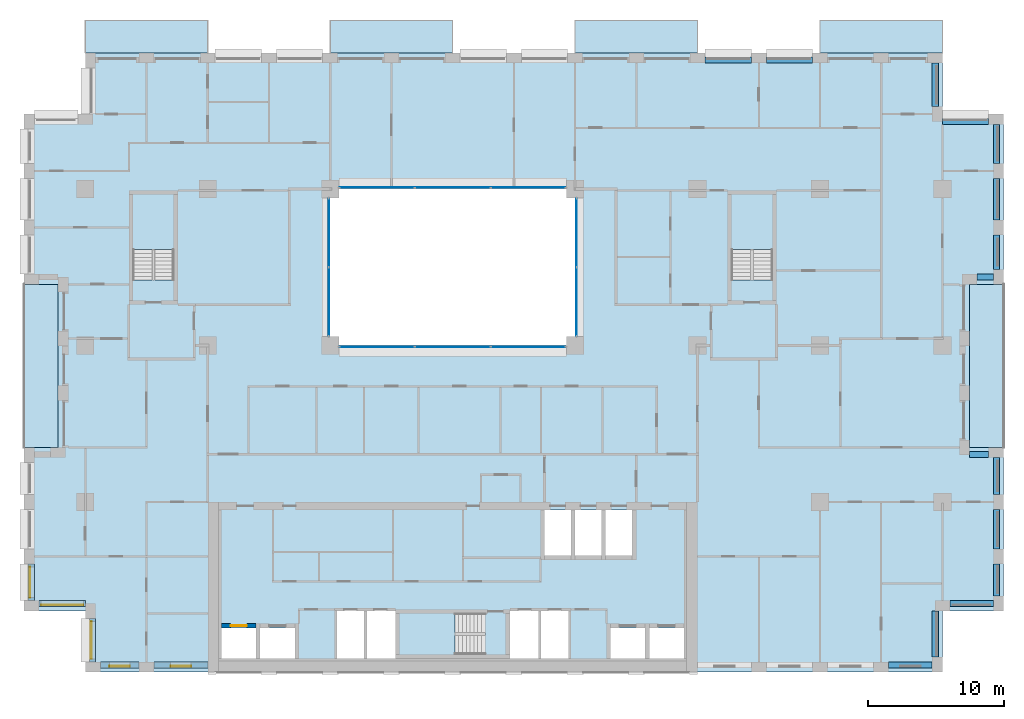
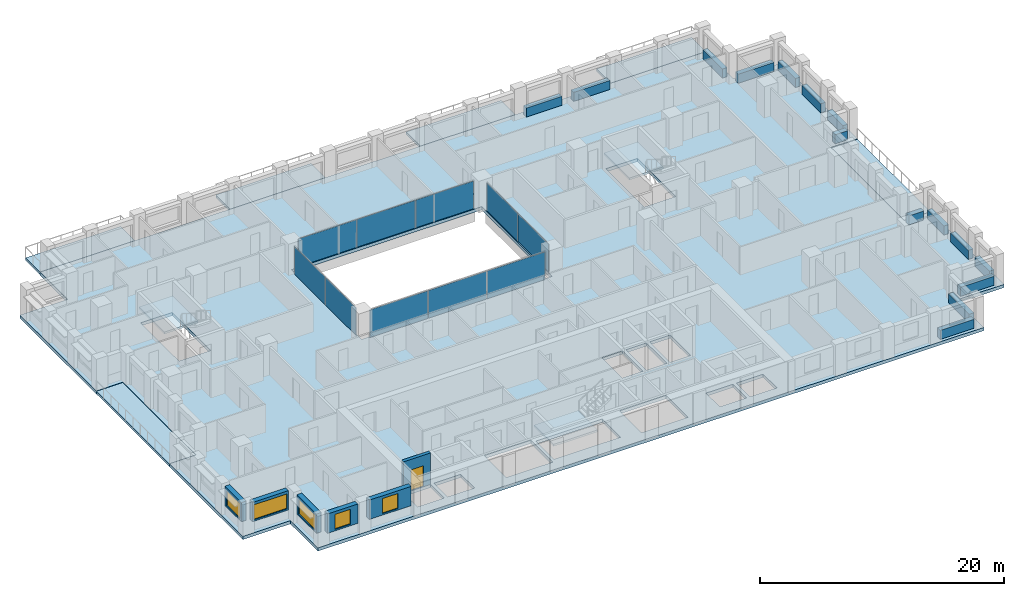
# One storey, part 7 of 16: 15 beams, 10 plates, 10 slabs, 6 walls, 5 windows, 1 door, 6 openings, 7 elements without a shape of their own.
"""IFC4 building model written with IfcOpenShell, lengths in metres."""

from ifc_helpers import new_model, si_unit, direction, frame, frame_2d, origin, origin_2d, place, context, subcontext, project, spatial, polyline, rectangle, outline, extrude, material, layer, layer_set, material_profile, profile_set, type_object, element, fill, aggregate, save


model = new_model("IFC4")

# Units and contexts
model_context = context("Model", 3, precision=1e-05, world=origin(), true_north=direction((0.0, 1.0)))
body_context = subcontext(model_context, "Body", "Model", "MODEL_VIEW")
ifc_project = project(units=[si_unit("LENGTHUNIT", "METRE"), si_unit("AREAUNIT", "SQUARE_METRE"), si_unit("VOLUMEUNIT", "CUBIC_METRE"), si_unit("PLANEANGLEUNIT", "RADIAN"), si_unit("MASSUNIT", "GRAM", prefix="KILO")], contexts=[model_context])

# Site, building, storey
site_placement = place(None, origin())
site = spatial("IfcSite", under=ifc_project, at=site_placement, CompositionType="ELEMENT")
building_placement = place(site_placement, origin())
building = spatial("IfcBuilding", under=site, at=building_placement, Name="Brigalow Station Residences", CompositionType="ELEMENT")
storey_placement = place(building_placement, frame((0.0, 0.0, 93.0)))
storey = spatial("IfcBuildingStorey", under=building, at=storey_placement, Name="L26", CompositionType="ELEMENT", Elevation=93.0)

# Beams
ifc_material_1 = material(Name="Concrete C65", Category="concrete")
ifc_material_profile = material_profile(ifc_material_1, rectangle(XDim=0.449951171875, YDim=0.89990234375, at=origin_2d()), Name="RC450x900")
ifc_profile_set = profile_set([ifc_material_profile], Name="Concrete C65")
beam_type = type_object("IfcBeamType", Name="SPANDREL BEAM 450x900 C65", PredefinedType="SPANDREL", material=ifc_profile_set)
beam_1_placement = place(storey_placement, frame((68.050048828125, 0.52490234375, 0.449951171875), z_axis=(1.0, 0.0, 0.0), x_axis=(0.0, 1.0, 0.0)))
element("IfcBeam", 1, at=beam_1_placement, inside=storey, type_object=beam_type, Name="L26/spandrel/W-L26-7", PredefinedType="SPANDREL", context=body_context, shape_type="SweptSolid", body=[
    extrude(rectangle(XDim=0.449951171875, YDim=0.89990234375, at=origin_2d()), origin(), (0.0, 0.0, 1.0), 3.199951171875),
])
beam_2_placement = place(storey_placement, frame((71.47509765625, 1.10009765625, 0.449951171875), z_axis=(0.0, 1.0, 0.0), x_axis=(-1.0, 0.0, 0.0)))
element("IfcBeam", 2, at=beam_2_placement, inside=storey, type_object=beam_type, Name="L26/spandrel/W-L26-8", PredefinedType="SPANDREL", context=body_context, shape_type="SweptSolid", body=[
    extrude(rectangle(XDim=0.449951171875, YDim=0.89990234375, at=origin_2d()), origin(), (0.0, 0.0, 1.0), 3.39990234375),
])
beam_3_placement = place(storey_placement, frame((72.550048828125, 5.02490234375, 0.449951171875), z_axis=(1.0, 0.0, 0.0), x_axis=(0.0, 1.0, 0.0)))
element("IfcBeam", 3, at=beam_3_placement, inside=storey, type_object=beam_type, Name="L26/spandrel/W-L26-9", PredefinedType="SPANDREL", context=body_context, shape_type="SweptSolid", body=[
    extrude(rectangle(XDim=0.449951171875, YDim=0.89990234375, at=origin_2d()), origin(), (0.0, 0.0, 1.0), 3.199951171875),
])
beam_4_placement = place(storey_placement, frame((75.97509765625, 5.60009765625, 0.449951171875), z_axis=(0.0, 1.0, 0.0), x_axis=(-1.0, 0.0, 0.0)))
element("IfcBeam", 4, at=beam_4_placement, inside=storey, type_object=beam_type, Name="L26/spandrel/W-L26-10", PredefinedType="SPANDREL", context=body_context, shape_type="SweptSolid", body=[
    extrude(rectangle(XDim=0.449951171875, YDim=0.89990234375, at=origin_2d()), origin(), (0.0, 0.0, 1.0), 2.349853515625),
])
beam_5_placement = place(storey_placement, frame((75.97509765625, 9.050048828125, 0.449951171875), z_axis=(0.0, 1.0, 0.0), x_axis=(-1.0, 0.0, 0.0)))
element("IfcBeam", 5, at=beam_5_placement, inside=storey, type_object=beam_type, Name="L26/spandrel/W-L26-11", PredefinedType="SPANDREL", context=body_context, shape_type="SweptSolid", body=[
    extrude(rectangle(XDim=0.449951171875, YDim=0.89990234375, at=origin_2d()), origin(), (0.0, 0.0, 1.0), 2.89990234375),
])
beam_6_placement = place(storey_placement, frame((75.97509765625, 13.050048828125, 0.449951171875), z_axis=(0.0, 1.0, 0.0), x_axis=(-1.0, 0.0, 0.0)))
element("IfcBeam", 6, at=beam_6_placement, inside=storey, type_object=beam_type, Name="L26/spandrel/W-L26-12", PredefinedType="SPANDREL", context=body_context, shape_type="SweptSolid", body=[
    extrude(rectangle(XDim=0.449951171875, YDim=0.89990234375, at=origin_2d()), origin(), (0.0, 0.0, 1.0), 2.699951171875),
])
beam_7_placement = place(storey_placement, frame((75.39990234375, 15.97509765625, 0.449951171875), z_axis=(-1.0, 0.0, 0.0), x_axis=(0.0, -1.0, 0.0)))
element("IfcBeam", 7, at=beam_7_placement, inside=storey, type_object=beam_type, Name="L26/spandrel/W-L26-13", PredefinedType="SPANDREL", context=body_context, shape_type="SweptSolid", body=[
    extrude(rectangle(XDim=0.449951171875, YDim=0.89990234375, at=origin_2d()), origin(), (0.0, 0.0, 1.0), 1.39990234375),
])
beam_8_placement = place(storey_placement, frame((74.550048828125, 29.02490234375, 0.449951171875), z_axis=(1.0, 0.0, 0.0), x_axis=(0.0, 1.0, 0.0)))
element("IfcBeam", 8, at=beam_8_placement, inside=storey, type_object=beam_type, Name="L26/spandrel/W-L26-17", PredefinedType="SPANDREL", context=body_context, shape_type="SweptSolid", body=[
    extrude(rectangle(XDim=0.449951171875, YDim=0.89990234375, at=origin_2d()), origin(), (0.0, 0.0, 1.0), 1.199951171875),
])
beam_9_placement = place(storey_placement, frame((75.97509765625, 29.60009765625, 0.449951171875), z_axis=(0.0, 1.0, 0.0), x_axis=(-1.0, 0.0, 0.0)))
element("IfcBeam", 9, at=beam_9_placement, inside=storey, type_object=beam_type, Name="L26/spandrel/W-L26-18", PredefinedType="SPANDREL", context=body_context, shape_type="SweptSolid", body=[
    extrude(rectangle(XDim=0.449951171875, YDim=0.89990234375, at=origin_2d()), origin(), (0.0, 0.0, 1.0), 2.516845703125),
])
beam_10_placement = place(storey_placement, frame((75.97509765625, 33.217041015625, 0.449951171875), z_axis=(0.0, 1.0, 0.0), x_axis=(-1.0, 0.0, 0.0)))
element("IfcBeam", 10, at=beam_10_placement, inside=storey, type_object=beam_type, Name="L26/spandrel/W-L26-19", PredefinedType="SPANDREL", context=body_context, shape_type="SweptSolid", body=[
    extrude(rectangle(XDim=0.449951171875, YDim=0.89990234375, at=origin_2d()), origin(), (0.0, 0.0, 1.0), 3.06591796875),
])
beam_11_placement = place(storey_placement, frame((75.97509765625, 37.383056640625, 0.449951171875), z_axis=(0.0, 1.0, 0.0), x_axis=(-1.0, 0.0, 0.0)))
element("IfcBeam", 11, at=beam_11_placement, inside=storey, type_object=beam_type, Name="L26/spandrel/W-L26-20", PredefinedType="SPANDREL", context=body_context, shape_type="SweptSolid", body=[
    extrude(rectangle(XDim=0.449951171875, YDim=0.89990234375, at=origin_2d()), origin(), (0.0, 0.0, 1.0), 2.866943359375),
])
beam_12_placement = place(storey_placement, frame((75.39990234375, 40.47509765625, 0.449951171875), z_axis=(-1.0, 0.0, 0.0), x_axis=(0.0, -1.0, 0.0)))
element("IfcBeam", 12, at=beam_12_placement, inside=storey, type_object=beam_type, Name="L26/spandrel/W-L26-21", PredefinedType="SPANDREL", context=body_context, shape_type="SweptSolid", body=[
    extrude(rectangle(XDim=0.449951171875, YDim=0.89990234375, at=origin_2d()), origin(), (0.0, 0.0, 1.0), 3.39990234375),
])
beam_13_placement = place(storey_placement, frame((71.47509765625, 41.550048828125, 0.449951171875), z_axis=(0.0, 1.0, 0.0), x_axis=(-1.0, 0.0, 0.0)))
element("IfcBeam", 13, at=beam_13_placement, inside=storey, type_object=beam_type, Name="L26/spandrel/W-L26-22", PredefinedType="SPANDREL", context=body_context, shape_type="SweptSolid", body=[
    extrude(rectangle(XDim=0.449951171875, YDim=0.89990234375, at=origin_2d()), origin(), (0.0, 0.0, 1.0), 3.199951171875),
])
for number, where, z_axis, x_axis, name in (
    (14, (62.449951171875, 44.97509765625, 0.449951171875), (-1.0, 0.0, 0.0), (0.0, -1.0, 0.0), "L26/spandrel/W-L26-25"),
    (15, (57.949951171875, 44.97509765625, 0.449951171875), (-1.0, 0.0, 0.0), (0.0, -1.0, 0.0), "L26/spandrel/W-L26-26"),
):
    element("IfcBeam", number, at=place(storey_placement, frame(where, z_axis=z_axis, x_axis=x_axis)), inside=storey, type_object=beam_type, Name=name, PredefinedType="SPANDREL", context=body_context, shape_type="SweptSolid", body=[
        extrude(rectangle(XDim=0.449951171875, YDim=0.89990234375, at=origin_2d()), origin(), (0.0, 0.0, 1.0), 3.39990234375),
    ])

# Curtain wall, plates
ifc_material_2 = material(Name="Aluminium", Category="aluminium")
ifc_layer_1 = layer(ifc_material_2, 0.14990234375)
ifc_layer_set_1 = layer_set([ifc_layer_1], Name="ATRIUM FIRE-RATED GLAZING CURTAIN WALL")
curtain_wall_type = type_object("IfcCurtainWallType", Name="ATRIUM FIRE-RATED GLAZING CURTAIN WALL", PredefinedType="NOTDEFINED", material=ifc_layer_set_1)
curtain_wall_1_placement = place(storey_placement, origin())
curtain_wall_1 = element("IfcCurtainWall", 16, at=curtain_wall_1_placement, inside=storey, type_object=curtain_wall_type, Name="L26/cw/atrium-S", PredefinedType="NOTDEFINED")
ifc_material_3 = material(Name="Fire-resisting laminated glazing, FRL -/60/-", Category="glass")
ifc_layer_2 = layer(ifc_material_3, 0.031982421875)
ifc_layer_set_2 = layer_set([ifc_layer_2], Name="ATRIUM FIRE-RATED GLAZING PANEL 32")
plate_type = type_object("IfcPlateType", Name="ATRIUM FIRE-RATED GLAZING PANEL 32", PredefinedType="CURTAIN_PANEL", material=ifc_layer_set_2)
plate_1_placement = place(storey_placement, frame((30.4482421875, 23.89990234375, 0.0), z_axis=(0.0, 0.0, 1.0), x_axis=(1.0, 0.0, 0.0)))
plate_1 = element("IfcPlate", 17, at=plate_1_placement, type_object=plate_type, Name="L26/cw/atrium-S/P00-00", PredefinedType="CURTAIN_PANEL", context=body_context, shape_type="SweptSolid", body=[
    extrude(rectangle(XDim=5.476806640625, YDim=0.031982421875, at=origin_2d()), origin(), (0.0, 0.0, 1.0), 2.77001953125),
])
plate_2_placement = place(storey_placement, frame((36.0, 23.89990234375, 0.0), z_axis=(0.0, 0.0, 1.0), x_axis=(1.0, 0.0, 0.0)))
plate_2 = element("IfcPlate", 18, at=plate_2_placement, type_object=plate_type, Name="L26/cw/atrium-S/P01-00", PredefinedType="CURTAIN_PANEL", context=body_context, shape_type="SweptSolid", body=[
    extrude(rectangle(XDim=5.506591796875, YDim=0.031982421875, at=origin_2d()), origin(), (0.0, 0.0, 1.0), 2.77001953125),
])
plate_3_placement = place(storey_placement, frame((41.5517578125, 23.89990234375, 0.0), z_axis=(0.0, 0.0, 1.0), x_axis=(1.0, 0.0, 0.0)))
plate_3 = element("IfcPlate", 19, at=plate_3_placement, type_object=plate_type, Name="L26/cw/atrium-S/P02-00", PredefinedType="CURTAIN_PANEL", context=body_context, shape_type="SweptSolid", body=[
    extrude(rectangle(XDim=5.476806640625, YDim=0.031982421875, at=origin_2d()), origin(), (0.0, 0.0, 1.0), 2.77001953125),
])
aggregate(curtain_wall_1, [plate_1, plate_2, plate_3])

curtain_wall_2_placement = place(storey_placement, origin())
curtain_wall_2 = element("IfcCurtainWall", 20, at=curtain_wall_2_placement, inside=storey, type_object=curtain_wall_type, Name="L26/cw/atrium-E", PredefinedType="NOTDEFINED")
plate_4_placement = place(storey_placement, frame((45.10009765625, 27.215087890625, 0.0), z_axis=(0.0, 0.0, 1.0), x_axis=(0.0, 1.0, 0.0)))
plate_4 = element("IfcPlate", 21, at=plate_4_placement, type_object=plate_type, Name="L26/cw/atrium-E/P00-00", PredefinedType="CURTAIN_PANEL", context=body_context, shape_type="SweptSolid", body=[
    extrude(rectangle(XDim=5.010009765625, YDim=0.031982421875, at=origin_2d()), origin(), (0.0, 0.0, 1.0), 2.77001953125),
])
plate_5_placement = place(storey_placement, frame((45.10009765625, 32.284912109375, 0.0), z_axis=(0.0, 0.0, 1.0), x_axis=(0.0, 1.0, 0.0)))
plate_5 = element("IfcPlate", 22, at=plate_5_placement, type_object=plate_type, Name="L26/cw/atrium-E/P01-00", PredefinedType="CURTAIN_PANEL", context=body_context, shape_type="SweptSolid", body=[
    extrude(rectangle(XDim=5.010009765625, YDim=0.031982421875, at=origin_2d()), origin(), (0.0, 0.0, 1.0), 2.77001953125),
])
aggregate(curtain_wall_2, [plate_4, plate_5])

curtain_wall_3_placement = place(storey_placement, origin())
curtain_wall_3 = element("IfcCurtainWall", 23, at=curtain_wall_3_placement, inside=storey, type_object=curtain_wall_type, Name="L26/cw/atrium-N", PredefinedType="NOTDEFINED")
plate_6_placement = place(storey_placement, frame((41.5517578125, 35.60009765625, 0.0), z_axis=(0.0, 0.0, 1.0), x_axis=(-1.0, 0.0, 0.0)))
plate_6 = element("IfcPlate", 24, at=plate_6_placement, type_object=plate_type, Name="L26/cw/atrium-N/P00-00", PredefinedType="CURTAIN_PANEL", context=body_context, shape_type="SweptSolid", body=[
    extrude(rectangle(XDim=5.476806640625, YDim=0.031982421875, at=origin_2d()), origin(), (0.0, 0.0, 1.0), 2.77001953125),
])
plate_7_placement = place(storey_placement, frame((36.0, 35.60009765625, 0.0), z_axis=(0.0, 0.0, 1.0), x_axis=(-1.0, 0.0, 0.0)))
plate_7 = element("IfcPlate", 25, at=plate_7_placement, type_object=plate_type, Name="L26/cw/atrium-N/P01-00", PredefinedType="CURTAIN_PANEL", context=body_context, shape_type="SweptSolid", body=[
    extrude(rectangle(XDim=5.506591796875, YDim=0.031982421875, at=origin_2d()), origin(), (0.0, 0.0, 1.0), 2.77001953125),
])
plate_8_placement = place(storey_placement, frame((30.4482421875, 35.60009765625, 0.0), z_axis=(0.0, 0.0, 1.0), x_axis=(-1.0, 0.0, 0.0)))
plate_8 = element("IfcPlate", 26, at=plate_8_placement, type_object=plate_type, Name="L26/cw/atrium-N/P02-00", PredefinedType="CURTAIN_PANEL", context=body_context, shape_type="SweptSolid", body=[
    extrude(rectangle(XDim=5.476806640625, YDim=0.031982421875, at=origin_2d()), origin(), (0.0, 0.0, 1.0), 2.77001953125),
])
aggregate(curtain_wall_3, [plate_6, plate_7, plate_8])

curtain_wall_4_placement = place(storey_placement, origin())
curtain_wall_4 = element("IfcCurtainWall", 27, at=curtain_wall_4_placement, inside=storey, type_object=curtain_wall_type, Name="L26/cw/atrium-W", PredefinedType="NOTDEFINED")
plate_9_placement = place(storey_placement, frame((26.89990234375, 32.284912109375, 0.0), z_axis=(0.0, 0.0, 1.0), x_axis=(0.0, -1.0, 0.0)))
plate_9 = element("IfcPlate", 28, at=plate_9_placement, type_object=plate_type, Name="L26/cw/atrium-W/P00-00", PredefinedType="CURTAIN_PANEL", context=body_context, shape_type="SweptSolid", body=[
    extrude(rectangle(XDim=5.010009765625, YDim=0.031982421875, at=origin_2d()), origin(), (0.0, 0.0, 1.0), 2.77001953125),
])
plate_10_placement = place(storey_placement, frame((26.89990234375, 27.215087890625, 0.0), z_axis=(0.0, 0.0, 1.0), x_axis=(0.0, -1.0, 0.0)))
plate_10 = element("IfcPlate", 29, at=plate_10_placement, type_object=plate_type, Name="L26/cw/atrium-W/P01-00", PredefinedType="CURTAIN_PANEL", context=body_context, shape_type="SweptSolid", body=[
    extrude(rectangle(XDim=5.010009765625, YDim=0.031982421875, at=origin_2d()), origin(), (0.0, 0.0, 1.0), 2.77001953125),
])
aggregate(curtain_wall_4, [plate_9, plate_10])

# Slabs
ifc_material_4 = material(Name="Concrete C50 precast", Category="concrete")
ifc_layer_3 = layer(ifc_material_4, 0.25)
ifc_layer_set_3 = layer_set([ifc_layer_3], Name="BALCONY SLAB 250")
slab_type_1 = type_object("IfcSlabType", Name="BALCONY SLAB 250", PredefinedType="USERDEFINED", material=ifc_layer_set_3)
slab_1_placement = place(storey_placement, frame((0.0, 0.0, -0.2900390625)))
element("IfcSlab", 30, at=slab_1_placement, inside=storey, type_object=slab_type_1, Name="L26/balcony/1", ObjectType="BALCONY", PredefinedType="USERDEFINED", context=body_context, shape_type="SweptSolid", body=[
    extrude(outline(polyline([(74.0, 16.5), (76.5, 16.5), (76.5, 28.5), (74.0, 28.5), (74.0, 16.5)])), origin(), (0.0, 0.0, 1.0), 0.25),
])
slab_2_placement = place(storey_placement, frame((0.0, 0.0, -0.2900390625)))
element("IfcSlab", 31, at=slab_2_placement, inside=storey, type_object=slab_type_1, Name="L26/balcony/2", ObjectType="BALCONY", PredefinedType="USERDEFINED", context=body_context, shape_type="SweptSolid", body=[
    extrude(outline(polyline([(72.0, 45.5), (72.0, 47.89990234375), (63.0, 47.89990234375), (63.0, 45.5), (72.0, 45.5)])), origin(), (0.0, 0.0, 1.0), 0.25),
])
slab_3_placement = place(storey_placement, frame((0.0, 0.0, -0.2900390625)))
element("IfcSlab", 32, at=slab_3_placement, inside=storey, type_object=slab_type_1, Name="L26/balcony/3", ObjectType="BALCONY", PredefinedType="USERDEFINED", context=body_context, shape_type="SweptSolid", body=[
    extrude(outline(polyline([(54.0, 45.5), (54.0, 47.89990234375), (45.0, 47.89990234375), (45.0, 45.5), (54.0, 45.5)])), origin(), (0.0, 0.0, 1.0), 0.25),
])
slab_4_placement = place(storey_placement, frame((0.0, 0.0, -0.2900390625)))
element("IfcSlab", 33, at=slab_4_placement, inside=storey, type_object=slab_type_1, Name="L26/balcony/4", ObjectType="BALCONY", PredefinedType="USERDEFINED", context=body_context, shape_type="SweptSolid", body=[
    extrude(outline(polyline([(36.0, 45.5), (36.0, 47.89990234375), (27.0, 47.89990234375), (27.0, 45.5), (36.0, 45.5)])), origin(), (0.0, 0.0, 1.0), 0.25),
])
slab_5_placement = place(storey_placement, frame((0.0, 0.0, -0.2900390625)))
element("IfcSlab", 34, at=slab_5_placement, inside=storey, type_object=slab_type_1, Name="L26/balcony/5", ObjectType="BALCONY", PredefinedType="USERDEFINED", context=body_context, shape_type="SweptSolid", body=[
    extrude(outline(polyline([(18.0, 45.5), (18.0, 47.89990234375), (9.0, 47.89990234375), (9.0, 45.5), (18.0, 45.5)])), origin(), (0.0, 0.0, 1.0), 0.25),
])
slab_6_placement = place(storey_placement, frame((0.0, 0.0, -0.2900390625)))
element("IfcSlab", 35, at=slab_6_placement, inside=storey, type_object=slab_type_1, Name="L26/balcony/6", ObjectType="BALCONY", PredefinedType="USERDEFINED", context=body_context, shape_type="SweptSolid", body=[
    extrude(outline(polyline([(7.0, 28.5), (4.5, 28.5), (4.5, 16.5), (7.0, 16.5), (7.0, 28.5)])), origin(), (0.0, 0.0, 1.0), 0.25),
])
ifc_material_5 = material(Name="Concrete C50", Category="concrete")
ifc_layer_4 = layer(ifc_material_5, 0.320068359375)
ifc_layer_set_4 = layer_set([ifc_layer_4], Name="POST-TENSIONED FLAT PLATE 320 C50")
slab_type_2 = type_object("IfcSlabType", Name="POST-TENSIONED FLAT PLATE 320 C50", PredefinedType="FLOOR", material=ifc_layer_set_4)
slab_7_placement = place(storey_placement, frame((0.0, 0.0, -0.320068359375)))
element("IfcSlab", 36, at=slab_7_placement, inside=storey, type_object=slab_type_2, Name="FLOOR SLAB L26", PredefinedType="FLOOR", context=body_context, shape_type="SweptSolid", body=[
    extrude(outline(polyline([(9.0, 0.0), (72.0, 0.0), (72.0, 4.5), (76.5, 4.5), (76.5, 16.5), (74.0, 16.5), (74.0, 28.5), (76.5, 28.5), (76.5, 41.0), (72.0, 41.0), (72.0, 45.5), (9.0, 45.5), (9.0, 41.0), (4.5, 41.0), (4.5, 28.5), (7.0, 28.5), (7.0, 16.5), (4.5, 16.5), (4.5, 4.5), (9.0, 4.5), (9.0, 0.0)]), holes=[polyline([(12.5048828125, 35.094970703125), (15.4951171875, 35.094970703125), (15.4951171875, 28.804931640625), (12.5048828125, 28.804931640625), (12.5048828125, 35.094970703125)]), polyline([(19.0, 1.0), (19.0, 3.25), (21.550048828125, 3.25), (21.550048828125, 1.0), (19.0, 1.0)]), polyline([(21.85009765625, 3.25), (24.39990234375, 3.25), (24.39990234375, 1.0), (21.85009765625, 1.0), (21.85009765625, 3.25)]), polyline([(27.0, 35.5), (45.0, 35.5), (45.0, 24.0), (27.0, 24.0), (27.0, 35.5)]), polyline([(29.60009765625, 4.60009765625), (31.800048828125, 4.60009765625), (31.800048828125, 1.0), (29.60009765625, 1.0), (27.39990234375, 1.0), (27.39990234375, 4.60009765625), (29.60009765625, 4.60009765625)]), polyline([(32.10498046875, 4.294921875), (38.39501953125, 4.294921875), (38.39501953125, 1.304931640625), (32.10498046875, 1.304931640625), (32.10498046875, 4.294921875)]), polyline([(40.199951171875, 4.60009765625), (42.39990234375, 4.60009765625), (44.60009765625, 4.60009765625), (44.60009765625, 1.0), (42.39990234375, 1.0), (40.199951171875, 1.0), (40.199951171875, 4.60009765625)]), polyline([(42.75, 11.89990234375), (44.699951171875, 11.89990234375), (44.699951171875, 8.550048828125), (42.75, 8.550048828125), (42.75, 11.89990234375)]), polyline([(45.0, 11.89990234375), (46.949951171875, 11.89990234375), (46.949951171875, 8.550048828125), (45.0, 8.550048828125), (45.0, 11.89990234375)]), polyline([(47.25, 11.89990234375), (49.199951171875, 11.89990234375), (49.199951171875, 8.550048828125), (47.25, 8.550048828125), (47.25, 11.89990234375)]), polyline([(47.60009765625, 3.25), (50.14990234375, 3.25), (50.14990234375, 1.0), (47.60009765625, 1.0), (47.60009765625, 3.25)]), polyline([(50.449951171875, 3.25), (53.0, 3.25), (53.0, 1.0), (50.449951171875, 1.0), (50.449951171875, 3.25)]), polyline([(56.5048828125, 35.094970703125), (59.4951171875, 35.094970703125), (59.4951171875, 28.804931640625), (56.5048828125, 28.804931640625), (56.5048828125, 35.094970703125)])]), origin(), (0.0, 0.0, 1.0), 0.320068359375),
])

# Stair, slab
ifc_material_6 = material(Name="Concrete C50", Category="concrete")
stair_type = type_object("IfcStairType", Name="EXIT STAIR 1400 2 FLIGHT", PredefinedType="HALF_TURN_STAIR", material=ifc_material_6)
stair_1_placement = place(storey_placement, origin())
stair_1 = element("IfcStair", 37, at=stair_1_placement, inside=storey, type_object=stair_type, Name="EXIT STAIR S2 L26", PredefinedType="HALF_TURN_STAIR")
ifc_material_7 = material(Name="Concrete C50", Category="concrete")
ifc_layer_5 = layer(ifc_material_7, 0.199951171875)
ifc_layer_set_5 = layer_set([ifc_layer_5], Name="STAIR LANDING 200")
slab_type_3 = type_object("IfcSlabType", Name="STAIR LANDING 200", PredefinedType="LANDING", material=ifc_layer_set_5)
slab_8_placement = place(storey_placement, frame((0.0, 0.0, 1.375)))
slab_8 = element("IfcSlab", 38, at=slab_8_placement, type_object=slab_type_3, Name="ST-2 landing 1", PredefinedType="LANDING", context=body_context, shape_type="SweptSolid", body=[
    extrude(outline(polyline([(32.0, 1.199951171875), (36.159912109375, 1.199951171875), (36.159912109375, 4.39990234375), (32.0, 4.39990234375), (32.0, 1.199951171875)])), origin(), (0.0, 0.0, 1.0), 0.199951171875),
])
aggregate(stair_1, [slab_8])

stair_2_placement = place(storey_placement, origin())
stair_2 = element("IfcStair", 39, at=stair_2_placement, inside=storey, type_object=stair_type, Name="EXIT STAIR S1 L26", PredefinedType="HALF_TURN_STAIR")
slab_9_placement = place(storey_placement, frame((0.0, 0.0, 1.375)))
slab_9 = element("IfcSlab", 40, at=slab_9_placement, type_object=slab_type_3, Name="ST-1 landing 1", PredefinedType="LANDING", context=body_context, shape_type="SweptSolid", body=[
    extrude(outline(polyline([(12.39990234375, 31.0400390625), (15.60009765625, 31.0400390625), (15.60009765625, 35.199951171875), (12.39990234375, 35.199951171875), (12.39990234375, 31.0400390625)])), origin(), (0.0, 0.0, 1.0), 0.199951171875),
])
aggregate(stair_2, [slab_9])

stair_3_placement = place(storey_placement, origin())
stair_3 = element("IfcStair", 41, at=stair_3_placement, inside=storey, type_object=stair_type, Name="EXIT STAIR S3 L26", PredefinedType="HALF_TURN_STAIR")
slab_10_placement = place(storey_placement, frame((0.0, 0.0, 1.375)))
slab_10 = element("IfcSlab", 42, at=slab_10_placement, type_object=slab_type_3, Name="ST-3 landing 1", PredefinedType="LANDING", context=body_context, shape_type="SweptSolid", body=[
    extrude(outline(polyline([(56.39990234375, 31.0400390625), (59.60009765625, 31.0400390625), (59.60009765625, 35.199951171875), (56.39990234375, 35.199951171875), (56.39990234375, 31.0400390625)])), origin(), (0.0, 0.0, 1.0), 0.199951171875),
])
aggregate(stair_3, [slab_10])

# Wall, opening, window
ifc_material_8 = material(Name="Clay brick masonry", Category="masonry")
ifc_layer_6 = layer(ifc_material_8, 0.449951171875)
ifc_layer_set_6 = layer_set([ifc_layer_6], Name="BRICK INFILL WALL 450")
wall_type_1 = type_object("IfcWallType", Name="BRICK INFILL WALL 450", PredefinedType="SOLIDWALL", material=ifc_layer_set_6)
wall_1_placement = place(storey_placement, frame((10.10009765625, 0.52490234375, 0.89990234375), z_axis=(0.0, 0.0, 1.0), x_axis=(1.0, 0.0, 0.0)))
wall_1 = element("IfcWall", 43, at=wall_1_placement, inside=storey, type_object=wall_type_1, Name="L26/ewall/W-L26-1", PredefinedType="SOLIDWALL", context=body_context, shape_type="SweptSolid", body=[
    extrude(rectangle(XDim=2.849853515625, YDim=0.449951171875, at=frame_2d((1.4248046875, 0.0))), origin(), (0.0, 0.0, 1.0), 1.93017578125),
])
opening_1_placement = place(wall_1_placement, frame((0.675048828125, 0.0, 0.14990234375)))
opening_1 = element("IfcOpeningElement", 44, at=opening_1_placement, cuts=wall_1, Name="Opening WT-1", PredefinedType="OPENING", context=body_context, shape_type="SweptSolid", body=[
    extrude(rectangle(XDim=1.5, YDim=1.5, at=frame_2d((0.75, 0.75))), frame((0.0, 0.23486328125, 0.0), z_axis=(0.0, -1.0, 0.0), x_axis=(1.0, 0.0, 0.0)), (0.0, 0.0, 1.0), 0.469970703125),
])
ifc_material_9 = material(Name="Anodised aluminium frame with double glazing", Category="aluminium")
window_type_1 = type_object("IfcWindowType", Name="WINDOW 1500x1500", PartitioningType="SINGLE_PANEL", PredefinedType="WINDOW", material=ifc_material_9)
window_1_placement = place(opening_1_placement, origin())
window_1 = element("IfcWindow", 45, at=window_1_placement, inside=storey, type_object=window_type_1, Name="L26/window/W-L26-1", OverallHeight=1.5, OverallWidth=1.5, PartitioningType="SINGLE_PANEL", PredefinedType="WINDOW", context=body_context, shape_type="SweptSolid", body=[
    extrude(rectangle(XDim=1.5, YDim=1.5, at=frame_2d((0.75, 0.75))), frame((0.0, -0.06494140625, 0.0), z_axis=(0.0, -1.0, 0.0), x_axis=(1.0, 0.0, 0.0)), (0.0, 0.0, 1.0), 0.06005859375),
])
fill(opening_1, window_1)

wall_2_placement = place(storey_placement, frame((14.050048828125, 0.52490234375, 0.89990234375), z_axis=(0.0, 0.0, 1.0), x_axis=(1.0, 0.0, 0.0)))
wall_2 = element("IfcWall", 46, at=wall_2_placement, inside=storey, type_object=wall_type_1, Name="L26/ewall/W-L26-2", PredefinedType="SOLIDWALL", context=body_context, shape_type="SweptSolid", body=[
    extrude(rectangle(XDim=3.949951171875, YDim=0.449951171875, at=frame_2d((1.97509765625, 0.0))), origin(), (0.0, 0.0, 1.0), 1.93017578125),
])
opening_2_placement = place(wall_2_placement, frame((1.22509765625, 0.0, 0.14990234375)))
opening_2 = element("IfcOpeningElement", 47, at=opening_2_placement, cuts=wall_2, Name="Opening WT-1", PredefinedType="OPENING", context=body_context, shape_type="SweptSolid", body=[
    extrude(rectangle(XDim=1.5, YDim=1.5, at=frame_2d((0.75, 0.75))), frame((0.0, 0.23486328125, 0.0), z_axis=(0.0, -1.0, 0.0), x_axis=(1.0, 0.0, 0.0)), (0.0, 0.0, 1.0), 0.469970703125),
])
window_2_placement = place(opening_2_placement, origin())
window_2 = element("IfcWindow", 48, at=window_2_placement, inside=storey, type_object=window_type_1, Name="L26/window/W-L26-2", OverallHeight=1.5, OverallWidth=1.5, PartitioningType="SINGLE_PANEL", PredefinedType="WINDOW", context=body_context, shape_type="SweptSolid", body=[
    extrude(rectangle(XDim=1.5, YDim=1.5, at=frame_2d((0.75, 0.75))), frame((0.0, -0.06494140625, 0.0), z_axis=(0.0, -1.0, 0.0), x_axis=(1.0, 0.0, 0.0)), (0.0, 0.0, 1.0), 0.06005859375),
])
fill(opening_2, window_2)

wall_3_placement = place(storey_placement, frame((5.02490234375, 7.949951171875, 0.89990234375), z_axis=(0.0, 0.0, 1.0), x_axis=(0.0, -1.0, 0.0)))
wall_3 = element("IfcWall", 49, at=wall_3_placement, inside=storey, type_object=wall_type_1, Name="L26/ewall/W-L26-49", PredefinedType="SOLIDWALL", context=body_context, shape_type="SweptSolid", body=[
    extrude(rectangle(XDim=2.699951171875, YDim=0.449951171875, at=frame_2d((1.35009765625, 0.0))), origin(), (0.0, 0.0, 1.0), 1.93017578125),
])
opening_3_placement = place(wall_3_placement, frame((0.22509765625, 0.0, 0.14990234375)))
opening_3 = element("IfcOpeningElement", 50, at=opening_3_placement, cuts=wall_3, Name="Opening WT-6", PredefinedType="OPENING", context=body_context, shape_type="SweptSolid", body=[
    extrude(rectangle(XDim=2.25, YDim=1.5, at=frame_2d((1.125, 0.75))), frame((0.0, 0.23486328125, 0.0), z_axis=(0.0, -1.0, 0.0), x_axis=(1.0, 0.0, 0.0)), (0.0, 0.0, 1.0), 0.469970703125),
])
ifc_material_10 = material(Name="Anodised aluminium frame with double glazing", Category="aluminium")
window_type_2 = type_object("IfcWindowType", Name="WINDOW 2250x1500", PartitioningType="SINGLE_PANEL", PredefinedType="WINDOW", material=ifc_material_10)
window_3_placement = place(opening_3_placement, origin())
window_3 = element("IfcWindow", 51, at=window_3_placement, inside=storey, type_object=window_type_2, Name="L26/window/W-L26-49", OverallHeight=1.5, OverallWidth=2.25, PartitioningType="SINGLE_PANEL", PredefinedType="WINDOW", context=body_context, shape_type="SweptSolid", body=[
    extrude(rectangle(XDim=2.25, YDim=1.5, at=frame_2d((1.125, 0.75))), frame((0.0, -0.06494140625, 0.0), z_axis=(0.0, -1.0, 0.0), x_axis=(1.0, 0.0, 0.0)), (0.0, 0.0, 1.0), 0.06005859375),
])
fill(opening_3, window_3)

wall_4_placement = place(storey_placement, frame((5.60009765625, 5.02490234375, 0.89990234375), z_axis=(0.0, 0.0, 1.0), x_axis=(1.0, 0.0, 0.0)))
wall_4 = element("IfcWall", 52, at=wall_4_placement, inside=storey, type_object=wall_type_1, Name="L26/ewall/W-L26-50", PredefinedType="SOLIDWALL", context=body_context, shape_type="SweptSolid", body=[
    extrude(rectangle(XDim=3.39990234375, YDim=0.449951171875, at=frame_2d((1.699951171875, 0.0))), origin(), (0.0, 0.0, 1.0), 1.93017578125),
])
opening_4_placement = place(wall_4_placement, frame((0.14990234375, 0.0, 0.14990234375)))
opening_4 = element("IfcOpeningElement", 53, at=opening_4_placement, cuts=wall_4, Name="Opening WT-8", PredefinedType="OPENING", context=body_context, shape_type="SweptSolid", body=[
    extrude(rectangle(XDim=3.10009765625, YDim=1.5, at=frame_2d((1.550048828125, 0.75))), frame((0.0, 0.23486328125, 0.0), z_axis=(0.0, -1.0, 0.0), x_axis=(1.0, 0.0, 0.0)), (0.0, 0.0, 1.0), 0.469970703125),
])
ifc_material_11 = material(Name="Anodised aluminium frame with double glazing", Category="aluminium")
window_type_3 = type_object("IfcWindowType", Name="WINDOW 3100x1500", PartitioningType="SINGLE_PANEL", PredefinedType="WINDOW", material=ifc_material_11)
window_4_placement = place(opening_4_placement, origin())
window_4 = element("IfcWindow", 54, at=window_4_placement, inside=storey, type_object=window_type_3, Name="L26/window/W-L26-50", OverallHeight=1.5, OverallWidth=3.10009765625, PartitioningType="SINGLE_PANEL", PredefinedType="WINDOW", context=body_context, shape_type="SweptSolid", body=[
    extrude(rectangle(XDim=3.10009765625, YDim=1.5, at=frame_2d((1.550048828125, 0.75))), frame((0.0, -0.06494140625, 0.0), z_axis=(0.0, -1.0, 0.0), x_axis=(1.0, 0.0, 0.0)), (0.0, 0.0, 1.0), 0.06005859375),
])
fill(opening_4, window_4)

wall_5_placement = place(storey_placement, frame((9.52490234375, 3.949951171875, 0.89990234375), z_axis=(0.0, 0.0, 1.0), x_axis=(0.0, -1.0, 0.0)))
wall_5 = element("IfcWall", 55, at=wall_5_placement, inside=storey, type_object=wall_type_1, Name="L26/ewall/W-L26-51", PredefinedType="SOLIDWALL", context=body_context, shape_type="SweptSolid", body=[
    extrude(rectangle(XDim=3.199951171875, YDim=0.449951171875, at=frame_2d((1.60009765625, 0.0))), origin(), (0.0, 0.0, 1.0), 1.93017578125),
])
opening_5_placement = place(wall_5_placement, frame((0.22509765625, 0.0, 0.14990234375)))
opening_5 = element("IfcOpeningElement", 56, at=opening_5_placement, cuts=wall_5, Name="Opening WT-3", PredefinedType="OPENING", context=body_context, shape_type="SweptSolid", body=[
    extrude(rectangle(XDim=2.75, YDim=1.5, at=frame_2d((1.375, 0.75))), frame((0.0, 0.23486328125, 0.0), z_axis=(0.0, -1.0, 0.0), x_axis=(1.0, 0.0, 0.0)), (0.0, 0.0, 1.0), 0.469970703125),
])
ifc_material_12 = material(Name="Anodised aluminium frame with double glazing", Category="aluminium")
window_type_4 = type_object("IfcWindowType", Name="WINDOW 2750x1500", PartitioningType="SINGLE_PANEL", PredefinedType="WINDOW", material=ifc_material_12)
window_5_placement = place(opening_5_placement, origin())
window_5 = element("IfcWindow", 57, at=window_5_placement, inside=storey, type_object=window_type_4, Name="L26/window/W-L26-51", OverallHeight=1.5, OverallWidth=2.75, PartitioningType="SINGLE_PANEL", PredefinedType="WINDOW", context=body_context, shape_type="SweptSolid", body=[
    extrude(rectangle(XDim=2.75, YDim=1.5, at=frame_2d((1.375, 0.75))), frame((0.0, -0.06494140625, 0.0), z_axis=(0.0, -1.0, 0.0), x_axis=(1.0, 0.0, 0.0)), (0.0, 0.0, 1.0), 0.06005859375),
])
fill(opening_5, window_5)

# Wall, opening, door
ifc_material_13 = material(Name="Concrete C65", Category="concrete")
ifc_layer_7 = layer(ifc_material_13, 0.300048828125)
ifc_layer_set_7 = layer_set([ifc_layer_7], Name="CORE SHEAR WALL 300 C65")
wall_type_2 = type_object("IfcWallType", Name="CORE SHEAR WALL 300 C65", PredefinedType="SHEAR", material=ifc_layer_set_7)
wall_6_placement = place(storey_placement, frame((19.0, 3.39990234375, 0.0), z_axis=(0.0, 0.0, 1.0), x_axis=(1.0, 0.0, 0.0)))
wall_6 = element("IfcWall", 58, at=wall_6_placement, inside=storey, type_object=wall_type_2, Name="CORE WALL SH-C1-N L26", PredefinedType="SHEAR", context=body_context, shape_type="SweptSolid", body=[
    extrude(rectangle(XDim=2.550048828125, YDim=0.300048828125, at=frame_2d((1.27490234375, 0.0))), origin(), (0.0, 0.0, 1.0), 3.14990234375),
])
opening_6_placement = place(wall_6_placement, frame((0.675048828125, 0.0, 0.0)))
opening_6 = element("IfcOpeningElement", 59, at=opening_6_placement, cuts=wall_6, Name="Opening LD-LB1", PredefinedType="OPENING", context=body_context, shape_type="SweptSolid", body=[
    extrude(rectangle(XDim=1.199951171875, YDim=2.10009765625, at=frame_2d((0.60009765625, 1.050048828125))), frame((0.0, 0.16015625, 0.0), z_axis=(0.0, -1.0, 0.0), x_axis=(1.0, 0.0, 0.0)), (0.0, 0.0, 1.0), 0.320068359375),
])
ifc_material_14 = material(Name="Stainless steel sliding door leaves", Category="steel")
door_type = type_object("IfcDoorType", Name="LIFT LANDING DOOR 1200 x 2100", OperationType="DOUBLE_DOOR_SLIDING", PredefinedType="DOOR", material=ifc_material_14)
door_placement = place(opening_6_placement, origin())
door = element("IfcDoor", 60, at=door_placement, inside=storey, type_object=door_type, Name="LANDING DOOR LB1", OperationType="DOUBLE_DOOR_SLIDING", OverallHeight=2.10009765625, OverallWidth=1.199951171875, PredefinedType="DOOR", context=body_context, shape_type="SweptSolid", body=[
    extrude(rectangle(XDim=1.199951171875, YDim=2.10009765625, at=frame_2d((0.60009765625, 1.050048828125))), frame((0.0, 0.02490234375, 0.0), z_axis=(0.0, -1.0, 0.0), x_axis=(1.0, 0.0, 0.0)), (0.0, 0.0, 1.0), 0.050048828125),
])
fill(opening_6, door)

save(model, "model.ifc")
